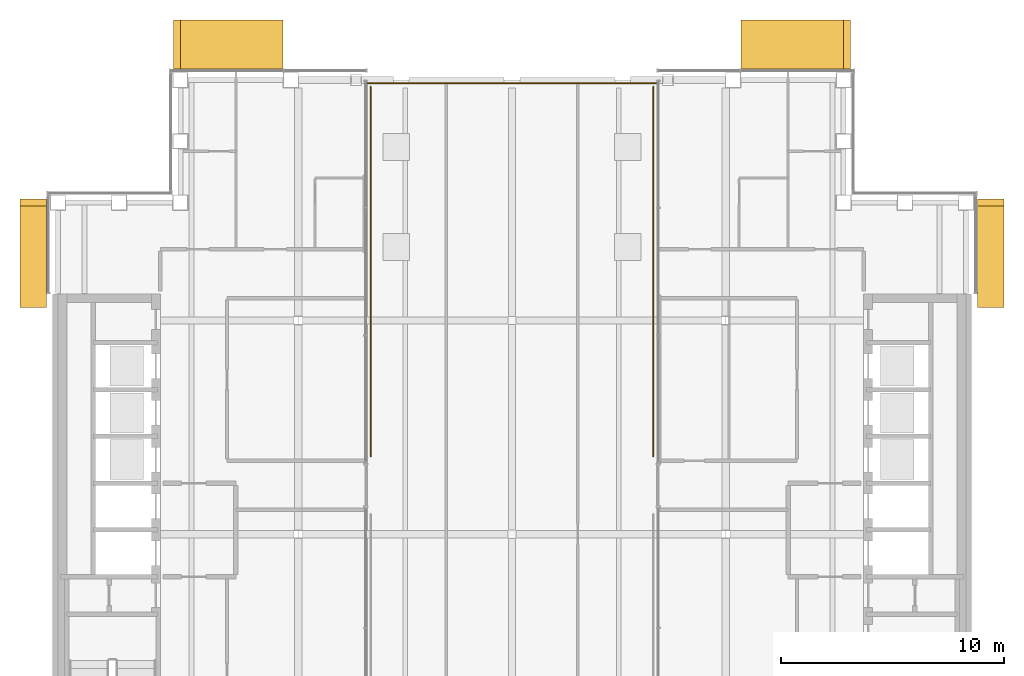
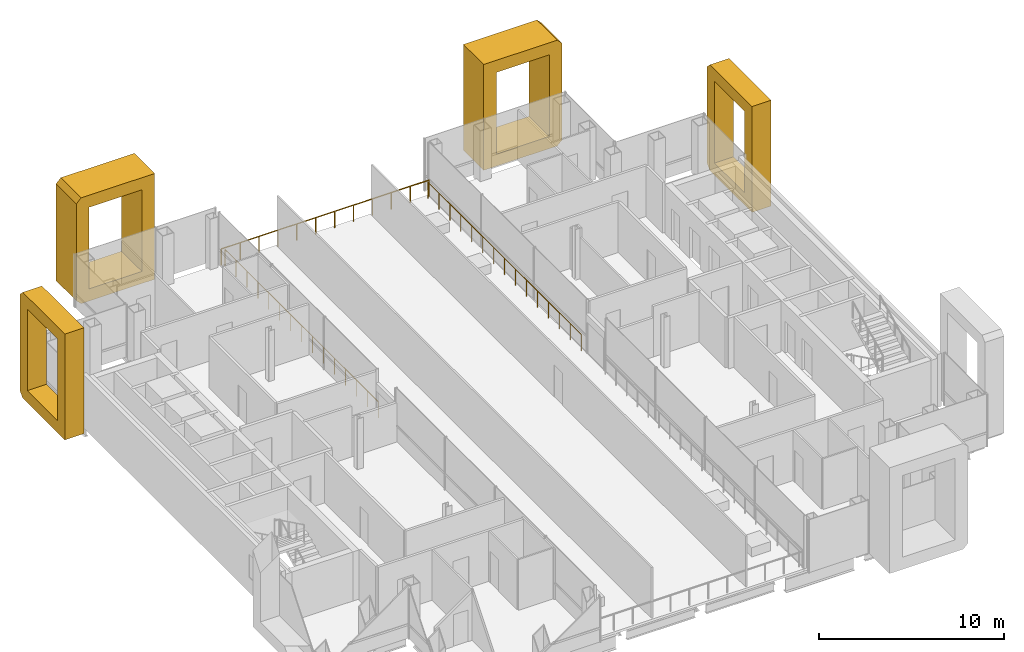
# One storey, part 16 of 17: 4 coverings, 3 railings.
"""IFC4 building model written with IfcOpenShell, lengths in metres."""

from ifc_helpers import new_model, si_unit, direction, frame, origin, origin_2d, place, context, subcontext, project, spatial, polyline, circle, outline, extrude, material, type_object, element, save


model = new_model("IFC4")

# Units and contexts
model_context = context("Model", 3, precision=1e-05, world=origin(), true_north=direction((0.0, 1.0)))
body_context = subcontext(model_context, "Body", "Model", "MODEL_VIEW")
ifc_project = project(units=[si_unit("LENGTHUNIT", "METRE"), si_unit("AREAUNIT", "SQUARE_METRE"), si_unit("VOLUMEUNIT", "CUBIC_METRE"), si_unit("PLANEANGLEUNIT", "RADIAN"), si_unit("MASSUNIT", "GRAM", prefix="KILO")], contexts=[model_context])

# Site, building, storey
site_placement = place(None, origin())
site = spatial("IfcSite", under=ifc_project, at=site_placement, CompositionType="ELEMENT")
building_placement = place(site_placement, origin())
building = spatial("IfcBuilding", under=site, at=building_placement, Name="Cobrizo Arcos Hotel Tower", CompositionType="ELEMENT")
storey_placement = place(building_placement, frame((0.0, 0.0, 219.0)))
storey = spatial("IfcBuildingStorey", under=building, at=storey_placement, Name="L57", CompositionType="ELEMENT", Elevation=219.0)

# Coverings
ifc_material_1 = material(Name="Aluminium 6063-T6 anodised bronze", Category="aluminium")
covering_type_1 = type_object("IfcCoveringType", Name="FIN-F 1200", PredefinedType="CLADDING", material=ifc_material_1)
covering_1_placement = place(storey_placement, frame((20.89990234375, 10.191650390625, 0.0), z_axis=(1.0, 0.0, 0.0), x_axis=(0.0, 1.0, 0.0)))
element("IfcCovering", 1, at=covering_1_placement, inside=storey, type_object=covering_type_1, Name="Fin frame 322", PredefinedType="CLADDING", context=body_context, shape_type="SweptSolid", body=[
    extrude(outline(polyline([(0.0, 7.0), (0.0, 0.0), (4.558349609375, 0.0), (4.8583984375, 0.300048828125), (4.8583984375, 6.699951171875), (4.558349609375, 7.0), (0.0, 7.0)]), holes=[polyline([(4.058349609375, 0.800048828125), (0.800048828125, 0.800048828125), (0.800048828125, 6.199951171875), (4.058349609375, 6.199951171875), (4.058349609375, 0.800048828125)])]), origin(), (0.0, 0.0, 1.0), 1.2001953125),
])
covering_2_placement = place(storey_placement, frame((-20.89990234375, 15.050048828125, 0.0), z_axis=(-1.0, 0.0, 0.0), x_axis=(0.0, -1.0, 0.0)))
element("IfcCovering", 2, at=covering_2_placement, inside=storey, type_object=covering_type_1, Name="Fin frame 357", PredefinedType="CLADDING", context=body_context, shape_type="SweptSolid", body=[
    extrude(outline(polyline([(0.0, 0.300048828125), (0.300048828125, 0.0), (4.8583984375, 0.0), (4.8583984375, 7.0), (0.300048828125, 7.0), (0.0, 6.699951171875), (0.0, 0.300048828125)]), holes=[polyline([(4.058349609375, 0.800048828125), (0.800048828125, 0.800048828125), (0.800048828125, 6.199951171875), (4.058349609375, 6.199951171875), (4.058349609375, 0.800048828125)])]), origin(), (0.0, 0.0, 1.0), 1.2001953125),
])
covering_type_2 = type_object("IfcCoveringType", Name="FIN-F 2200", PredefinedType="CLADDING", material=ifc_material_1)
covering_3_placement = place(storey_placement, frame((15.199951171875, 20.89990234375, 0.0), z_axis=(0.0, 1.0, 0.0), x_axis=(-1.0, 0.0, 0.0)))
element("IfcCovering", 3, at=covering_3_placement, inside=storey, type_object=covering_type_2, Name="Fin frame 303", PredefinedType="CLADDING", context=body_context, shape_type="SweptSolid", body=[
    extrude(outline(polyline([(0.0, 0.300048828125), (0.300048828125, 0.0), (4.908203125, 0.0), (4.908203125, 7.0), (0.300048828125, 7.0), (0.0, 6.699951171875), (0.0, 0.300048828125)]), holes=[polyline([(4.1083984375, 0.800048828125), (0.800048828125, 0.800048828125), (0.800048828125, 6.199951171875), (4.1083984375, 6.199951171875), (4.1083984375, 0.800048828125)])]), origin(), (0.0, 0.0, 1.0), 2.2001953125),
])
covering_4_placement = place(storey_placement, frame((-10.291748046875, 20.89990234375, 0.0), z_axis=(0.0, 1.0, 0.0), x_axis=(-1.0, 0.0, 0.0)))
element("IfcCovering", 4, at=covering_4_placement, inside=storey, type_object=covering_type_2, Name="Fin frame 304", PredefinedType="CLADDING", context=body_context, shape_type="SweptSolid", body=[
    extrude(outline(polyline([(0.0, 7.0), (0.0, 0.0), (4.6083984375, 0.0), (4.908203125, 0.300048828125), (4.908203125, 6.699951171875), (4.6083984375, 7.0), (0.0, 7.0)]), holes=[polyline([(4.1083984375, 0.800048828125), (0.800048828125, 0.800048828125), (0.800048828125, 6.199951171875), (4.1083984375, 6.199951171875), (4.1083984375, 0.800048828125)])]), origin(), (0.0, 0.0, 1.0), 2.2001953125),
])

# Railings
ifc_material_2 = material(Name="Stainless steel railing", Category="steel")
railing_type = type_object("IfcRailingType", Name="Garden deck guard 1100", PredefinedType="GUARDRAIL", material=ifc_material_2)
railing_1_placement = place(storey_placement, frame((-6.5, 20.25, 0.0)))
element("IfcRailing", 5, at=railing_1_placement, inside=storey, type_object=railing_type, Name="Garden deck north guard", PredefinedType="GUARDRAIL", context=body_context, shape_type="SweptSolid", body=[
    extrude(circle(Radius=0.02392578125, at=origin_2d()), frame((0.0, 0.0, 1.076171875), z_axis=(1.0, 0.0, 0.0), x_axis=(0.0, 1.0, 0.0)), (0.0, 0.0, 1.0), 13.0),
    extrude(circle(Radius=0.02099609375, at=origin_2d()), origin(), (0.0, 0.0, 1.0), 1.052001953125),
    extrude(circle(Radius=0.02099609375, at=origin_2d()), frame((1.181884765625, 0.0, 0.0)), (0.0, 0.0, 1.0), 1.052001953125),
    extrude(circle(Radius=0.02099609375, at=origin_2d()), frame((2.363525390625, 0.0, 0.0)), (0.0, 0.0, 1.0), 1.052001953125),
    extrude(circle(Radius=0.02099609375, at=origin_2d()), frame((3.54541015625, 0.0, 0.0)), (0.0, 0.0, 1.0), 1.052001953125),
    extrude(circle(Radius=0.02099609375, at=origin_2d()), frame((4.727294921875, 0.0, 0.0)), (0.0, 0.0, 1.0), 1.052001953125),
    extrude(circle(Radius=0.02099609375, at=origin_2d()), frame((5.9091796875, 0.0, 0.0)), (0.0, 0.0, 1.0), 1.052001953125),
    extrude(circle(Radius=0.02099609375, at=origin_2d()), frame((7.0908203125, 0.0, 0.0)), (0.0, 0.0, 1.0), 1.052001953125),
    extrude(circle(Radius=0.02099609375, at=origin_2d()), frame((8.272705078125, 0.0, 0.0)), (0.0, 0.0, 1.0), 1.052001953125),
    extrude(circle(Radius=0.02099609375, at=origin_2d()), frame((9.45458984375, 0.0, 0.0)), (0.0, 0.0, 1.0), 1.052001953125),
    extrude(circle(Radius=0.02099609375, at=origin_2d()), frame((10.636474609375, 0.0, 0.0)), (0.0, 0.0, 1.0), 1.052001953125),
    extrude(circle(Radius=0.02099609375, at=origin_2d()), frame((11.818115234375, 0.0, 0.0)), (0.0, 0.0, 1.0), 1.052001953125),
    extrude(circle(Radius=0.02099609375, at=origin_2d()), frame((13.0, 0.0, 0.0)), (0.0, 0.0, 1.0), 1.052001953125),
])
railing_2_placement = place(storey_placement, frame((6.35009765625, 3.5, 0.0)))
element("IfcRailing", 6, at=railing_2_placement, inside=storey, type_object=railing_type, Name="Garden deck east guard", PredefinedType="GUARDRAIL", context=body_context, shape_type="SweptSolid", body=[
    extrude(circle(Radius=0.02392578125, at=origin_2d()), frame((0.0, 0.0, 1.076171875), z_axis=(0.0, 1.0, 0.0), x_axis=(-1.0, 0.0, 0.0)), (0.0, 0.0, 1.0), 16.60009765625),
    extrude(circle(Radius=0.02099609375, at=origin_2d()), origin(), (0.0, 0.0, 1.0), 1.052001953125),
    extrude(circle(Radius=0.02099609375, at=origin_2d()), frame((0.0, 1.185791015625, 0.0)), (0.0, 0.0, 1.0), 1.052001953125),
    extrude(circle(Radius=0.02099609375, at=origin_2d()), frame((0.0, 2.371337890625, 0.0)), (0.0, 0.0, 1.0), 1.052001953125),
    extrude(circle(Radius=0.02099609375, at=origin_2d()), frame((0.0, 3.55712890625, 0.0)), (0.0, 0.0, 1.0), 1.052001953125),
    extrude(circle(Radius=0.02099609375, at=origin_2d()), frame((0.0, 4.742919921875, 0.0)), (0.0, 0.0, 1.0), 1.052001953125),
    extrude(circle(Radius=0.02099609375, at=origin_2d()), frame((0.0, 5.9287109375, 0.0)), (0.0, 0.0, 1.0), 1.052001953125),
    extrude(circle(Radius=0.02099609375, at=origin_2d()), frame((0.0, 7.1142578125, 0.0)), (0.0, 0.0, 1.0), 1.052001953125),
    extrude(circle(Radius=0.02099609375, at=origin_2d()), frame((0.0, 8.300048828125, 0.0)), (0.0, 0.0, 1.0), 1.052001953125),
    extrude(circle(Radius=0.02099609375, at=origin_2d()), frame((0.0, 9.48583984375, 0.0)), (0.0, 0.0, 1.0), 1.052001953125),
    extrude(circle(Radius=0.02099609375, at=origin_2d()), frame((0.0, 10.67138671875, 0.0)), (0.0, 0.0, 1.0), 1.052001953125),
    extrude(circle(Radius=0.02099609375, at=origin_2d()), frame((0.0, 11.857177734375, 0.0)), (0.0, 0.0, 1.0), 1.052001953125),
    extrude(circle(Radius=0.02099609375, at=origin_2d()), frame((0.0, 13.04296875, 0.0)), (0.0, 0.0, 1.0), 1.052001953125),
    extrude(circle(Radius=0.02099609375, at=origin_2d()), frame((0.0, 14.228759765625, 0.0)), (0.0, 0.0, 1.0), 1.052001953125),
    extrude(circle(Radius=0.02099609375, at=origin_2d()), frame((0.0, 15.414306640625, 0.0)), (0.0, 0.0, 1.0), 1.052001953125),
    extrude(circle(Radius=0.02099609375, at=origin_2d()), frame((0.0, 16.60009765625, 0.0)), (0.0, 0.0, 1.0), 1.052001953125),
])
railing_3_placement = place(storey_placement, frame((-6.35009765625, 3.5, 0.0)))
element("IfcRailing", 7, at=railing_3_placement, inside=storey, type_object=railing_type, Name="Garden deck west guard", PredefinedType="GUARDRAIL", context=body_context, shape_type="SweptSolid", body=[
    extrude(circle(Radius=0.02392578125, at=origin_2d()), frame((0.0, 0.0, 1.076171875), z_axis=(0.0, 1.0, 0.0), x_axis=(-1.0, 0.0, 0.0)), (0.0, 0.0, 1.0), 16.60009765625),
    extrude(circle(Radius=0.02099609375, at=origin_2d()), origin(), (0.0, 0.0, 1.0), 1.052001953125),
    extrude(circle(Radius=0.02099609375, at=origin_2d()), frame((0.0, 1.185791015625, 0.0)), (0.0, 0.0, 1.0), 1.052001953125),
    extrude(circle(Radius=0.02099609375, at=origin_2d()), frame((0.0, 2.371337890625, 0.0)), (0.0, 0.0, 1.0), 1.052001953125),
    extrude(circle(Radius=0.02099609375, at=origin_2d()), frame((0.0, 3.55712890625, 0.0)), (0.0, 0.0, 1.0), 1.052001953125),
    extrude(circle(Radius=0.02099609375, at=origin_2d()), frame((0.0, 4.742919921875, 0.0)), (0.0, 0.0, 1.0), 1.052001953125),
    extrude(circle(Radius=0.02099609375, at=origin_2d()), frame((0.0, 5.9287109375, 0.0)), (0.0, 0.0, 1.0), 1.052001953125),
    extrude(circle(Radius=0.02099609375, at=origin_2d()), frame((0.0, 7.1142578125, 0.0)), (0.0, 0.0, 1.0), 1.052001953125),
    extrude(circle(Radius=0.02099609375, at=origin_2d()), frame((0.0, 8.300048828125, 0.0)), (0.0, 0.0, 1.0), 1.052001953125),
    extrude(circle(Radius=0.02099609375, at=origin_2d()), frame((0.0, 9.48583984375, 0.0)), (0.0, 0.0, 1.0), 1.052001953125),
    extrude(circle(Radius=0.02099609375, at=origin_2d()), frame((0.0, 10.67138671875, 0.0)), (0.0, 0.0, 1.0), 1.052001953125),
    extrude(circle(Radius=0.02099609375, at=origin_2d()), frame((0.0, 11.857177734375, 0.0)), (0.0, 0.0, 1.0), 1.052001953125),
    extrude(circle(Radius=0.02099609375, at=origin_2d()), frame((0.0, 13.04296875, 0.0)), (0.0, 0.0, 1.0), 1.052001953125),
    extrude(circle(Radius=0.02099609375, at=origin_2d()), frame((0.0, 14.228759765625, 0.0)), (0.0, 0.0, 1.0), 1.052001953125),
    extrude(circle(Radius=0.02099609375, at=origin_2d()), frame((0.0, 15.414306640625, 0.0)), (0.0, 0.0, 1.0), 1.052001953125),
    extrude(circle(Radius=0.02099609375, at=origin_2d()), frame((0.0, 16.60009765625, 0.0)), (0.0, 0.0, 1.0), 1.052001953125),
])

save(model, "model.ifc")
